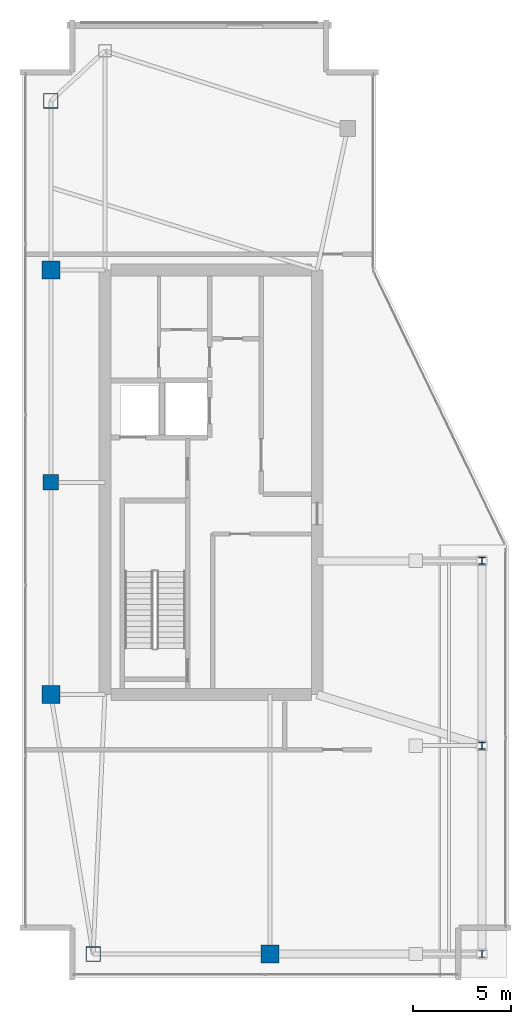
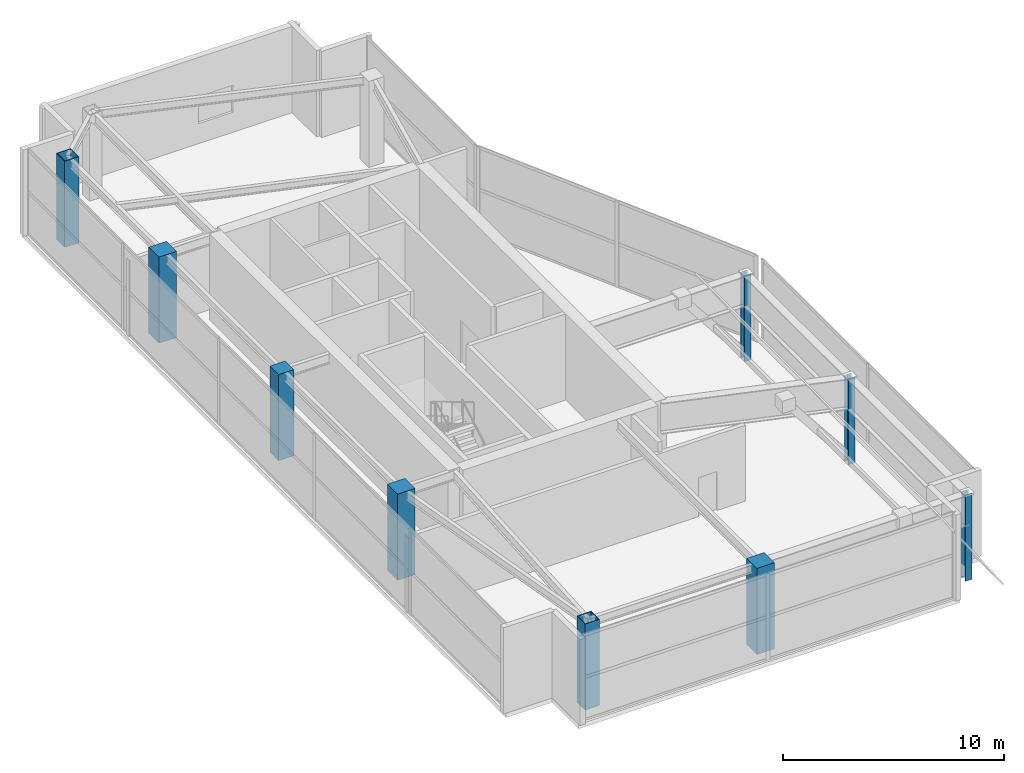
# One storey, part 1 of 20: 9 columns.
"""IFC4 building model written with IfcOpenShell, lengths in metres."""

from ifc_helpers import new_model, si_unit, direction, frame, origin, origin_2d, place, context, subcontext, project, spatial, rectangle, hollow_rectangle, i_section, extrude, material, material_profile, profile_set, type_object, element, save


model = new_model("IFC4")

# Units and contexts
model_context = context("Model", 3, precision=1e-05, world=origin(), true_north=direction((0.0, 1.0)))
body_context = subcontext(model_context, "Body", "Model", "MODEL_VIEW")
ifc_project = project(units=[si_unit("LENGTHUNIT", "METRE"), si_unit("AREAUNIT", "SQUARE_METRE"), si_unit("VOLUMEUNIT", "CUBIC_METRE"), si_unit("PLANEANGLEUNIT", "RADIAN"), si_unit("MASSUNIT", "GRAM", prefix="KILO")], contexts=[model_context])

# Site, building, storey
site_placement = place(None, origin())
site = spatial("IfcSite", under=ifc_project, at=site_placement, CompositionType="ELEMENT")
building_placement = place(site_placement, origin())
building = spatial("IfcBuilding", under=site, at=building_placement, Name="Calvorn Quay Hotel", CompositionType="ELEMENT")
storey_placement = place(building_placement, frame((0.0, 0.0, 335.5)))
storey = spatial("IfcBuildingStorey", under=building, at=storey_placement, Name="L82", CompositionType="ELEMENT", Elevation=335.5)

# Columns
ifc_material_1 = material(Name="Concrete C45", Category="concrete")
ifc_material_profile_1 = material_profile(ifc_material_1, rectangle(XDim=0.800048828125, YDim=0.800048828125, at=origin_2d()), Name="RC800x800")
ifc_profile_set_1 = profile_set([ifc_material_profile_1], Name="Concrete C45")
column_type_1 = type_object("IfcColumnType", Name="COL-RC-800", PredefinedType="COLUMN", material=ifc_profile_set_1)
column_placement = place(storey_placement, frame((1.449951171875, 27.60009765625, 0.0), z_axis=(0.0, 0.0, 1.0), x_axis=(1.0, 0.0, 0.0)))
element("IfcColumn", 1, at=column_placement, inside=storey, type_object=column_type_1, Name="Column C-W3 (L82)", PredefinedType="COLUMN", context=body_context, shape_type="SweptSolid", body=[
    extrude(rectangle(XDim=0.800048828125, YDim=0.800048828125, at=origin_2d()), origin(), (0.0, 0.0, 1.0), 4.760009765625),
])
ifc_material_2 = material(Name="Concrete C45", Category="concrete")
ifc_material_profile_2 = material_profile(ifc_material_2, rectangle(XDim=0.919921875, YDim=0.919921875, at=origin_2d()), Name="RC920x920")
ifc_profile_set_2 = profile_set([ifc_material_profile_2], Name="Concrete C45")
column_type_2 = type_object("IfcColumnType", Name="COL-RC-920", PredefinedType="COLUMN", material=ifc_profile_set_2)
for number, where, z_axis, x_axis, name in (
    (2, (1.449951171875, 16.800048828125, 0.0), (0.0, 0.0, 1.0), (1.0, 0.0, 0.0), "Column C-W2 (L82)"),
    (3, (1.449951171875, 38.39990234375, 0.0), (0.0, 0.0, 1.0), (1.0, 0.0, 0.0), "Column C-W4 (L82)"),
    (4, (12.60009765625, 3.60009765625, 0.0), (0.0, 0.0, 1.0), (1.0, 0.0, 0.0), "Column C-S1 (L82)"),
):
    element("IfcColumn", number, at=place(storey_placement, frame(where, z_axis=z_axis, x_axis=x_axis)), inside=storey, type_object=column_type_2, Name=name, PredefinedType="COLUMN", context=body_context, shape_type="SweptSolid", body=[
        extrude(rectangle(XDim=0.919921875, YDim=0.919921875, at=origin_2d()), origin(), (0.0, 0.0, 1.0), 4.760009765625),
    ])
ifc_material_3 = material(Name="Steel Q390GJC", Category="steel")
ifc_material_profile_3 = material_profile(ifc_material_3, i_section(OverallWidth=0.35009765625, OverallDepth=0.35009765625, WebThickness=0.011962890625, FlangeThickness=0.01904296875, FilletRadius=0.01806640625, at=origin_2d()), Name="HW350x350x12x19")
ifc_profile_set_3 = profile_set([ifc_material_profile_3], Name="Steel Q390GJC")
column_type_3 = type_object("IfcColumnType", Name="COL-STL-CRN", PredefinedType="COLUMN", material=ifc_profile_set_3)
for number, where, z_axis, x_axis, name in (
    (5, (23.383056640625, 3.60009765625, 0.0), (0.0, 0.0, 1.0), (1.0, 0.0, 0.0), "Column C-CR1 (L82)"),
    (6, (23.383056640625, 14.199951171875, 0.0), (0.0, 0.0, 1.0), (1.0, 0.0, 0.0), "Column C-CR2 (L82)"),
    (7, (23.383056640625, 23.60009765625, 0.0), (0.0, 0.0, 1.0), (1.0, 0.0, 0.0), "Column C-CR3 (L82)"),
):
    element("IfcColumn", number, at=place(storey_placement, frame(where, z_axis=z_axis, x_axis=x_axis)), inside=storey, type_object=column_type_3, Name=name, PredefinedType="COLUMN", context=body_context, shape_type="SweptSolid", body=[
        extrude(i_section(OverallWidth=0.35009765625, OverallDepth=0.35009765625, WebThickness=0.011962890625, FlangeThickness=0.01904296875, FilletRadius=0.01806640625, at=origin_2d()), origin(), (0.0, 0.0, 1.0), 4.760009765625),
    ])
ifc_material_4 = material(Name="Steel Q390GJC", Category="steel")
ifc_material_profile_4 = material_profile(ifc_material_4, hollow_rectangle(XDim=0.75, YDim=0.75, WallThickness=0.031982421875, at=origin_2d()), Name="BOX750x750x32")
ifc_profile_set_4 = profile_set([ifc_material_profile_4], Name="Steel Q390GJC")
column_type_4 = type_object("IfcColumnType", Name="COL-STL-Z3", PredefinedType="COLUMN", material=ifc_profile_set_4)
for number, where, z_axis, x_axis, name in (
    (8, (3.60009765625, 3.60009765625, 0.0), (0.0, 0.0, 1.0), (1.0, 0.0, 0.0), "Column C-W1 (L82)"),
    (9, (1.449951171875, 47.0, 0.0), (0.0, 0.0, 1.0), (1.0, 0.0, 0.0), "Column C-W5 (L82)"),
):
    element("IfcColumn", number, at=place(storey_placement, frame(where, z_axis=z_axis, x_axis=x_axis)), inside=storey, type_object=column_type_4, Name=name, PredefinedType="COLUMN", context=body_context, shape_type="SweptSolid", body=[
        extrude(hollow_rectangle(XDim=0.75, YDim=0.75, WallThickness=0.031982421875, at=origin_2d()), origin(), (0.0, 0.0, 1.0), 4.760009765625),
    ])

save(model, "model.ifc")
